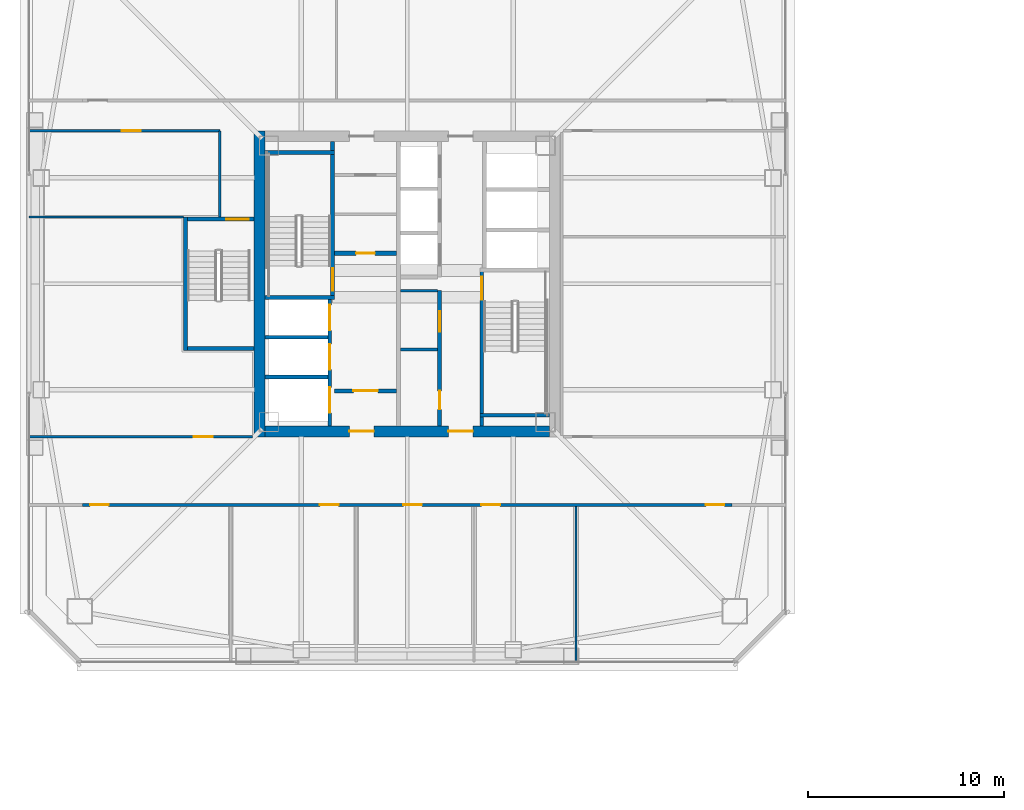
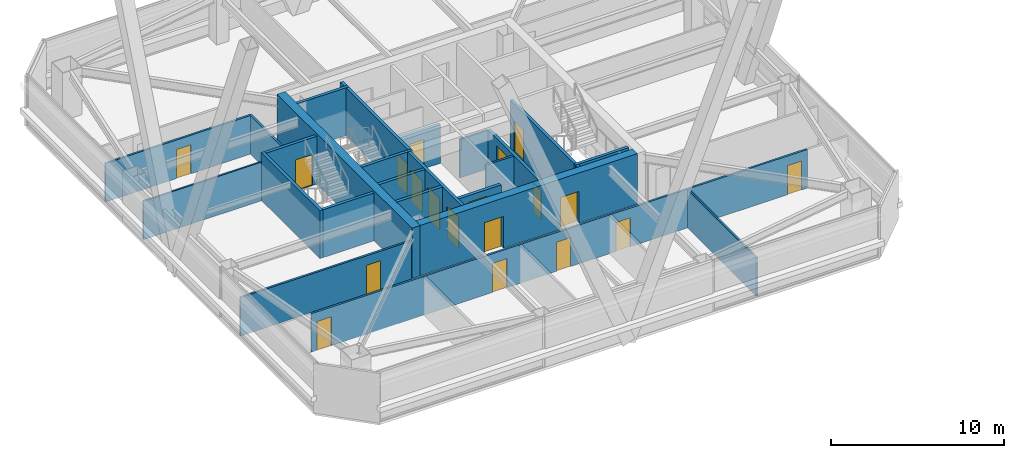
# One storey, part 40 of 50: 24 walls, 19 doors, 19 openings.
"""IFC4 building model written with IfcOpenShell, lengths in metres."""

from ifc_helpers import new_model, si_unit, direction, frame, frame_2d, origin, place, context, subcontext, project, spatial, rectangle, extrude, material, layer, layer_set, type_object, element, fill, save


model = new_model("IFC4")

# Units and contexts
model_context = context("Model", 3, precision=1e-05, world=origin(), true_north=direction((0.0, 1.0)))
body_context = subcontext(model_context, "Body", "Model", "MODEL_VIEW")
ifc_project = project(units=[si_unit("LENGTHUNIT", "METRE"), si_unit("AREAUNIT", "SQUARE_METRE"), si_unit("VOLUMEUNIT", "CUBIC_METRE"), si_unit("PLANEANGLEUNIT", "RADIAN"), si_unit("MASSUNIT", "GRAM", prefix="KILO")], contexts=[model_context])

# Site, building, storey
site_placement = place(None, origin())
site = spatial("IfcSite", under=ifc_project, at=site_placement, CompositionType="ELEMENT")
building_placement = place(site_placement, origin())
building = spatial("IfcBuilding", under=site, at=building_placement, Name="Tashvorn Skyway Center", CompositionType="ELEMENT")
storey_placement = place(building_placement, frame((0.0, 0.0, 114.39990234375)))
storey = spatial("IfcBuildingStorey", under=building, at=storey_placement, Name="L30", CompositionType="ELEMENT", Elevation=114.39990234375)

# Wall
ifc_material_1 = material(Name="Concrete C60/75", Category="concrete")
ifc_layer_1 = layer(ifc_material_1, 0.550048828125)
ifc_layer_set_1 = layer_set([ifc_layer_1], Name="Concrete C60/75")
wall_type_1 = type_object("IfcWallType", Name="WALL-CORE-550", PredefinedType="SHEAR", material=ifc_layer_set_1)
wall_1_placement = place(storey_placement, frame((34.47509765625, 24.199951171875, 0.0), z_axis=(0.0, 0.0, 1.0), x_axis=(0.0, 1.0, 0.0)))
element("IfcWall", 1, at=wall_1_placement, inside=storey, type_object=wall_type_1, Name="Tower 1 L30 West Core Shear Wall", PredefinedType="SHEAR", context=body_context, shape_type="SweptSolid", body=[
    extrude(rectangle(XDim=15.60009765625, YDim=0.550048828125, at=frame_2d((7.800048828125, 0.0))), origin(), (0.0, 0.0, 1.0), 3.550048828125),
])

# Wall, openings, doors
wall_2_placement = place(storey_placement, frame((49.25, 24.47509765625, 0.0), z_axis=(0.0, 0.0, 1.0), x_axis=(-1.0, 0.0, 0.0)))
wall_2 = element("IfcWall", 2, at=wall_2_placement, inside=storey, type_object=wall_type_1, Name="Tower 1 L30 South Core Shear Wall", PredefinedType="SHEAR", context=body_context, shape_type="SweptSolid", body=[
    extrude(rectangle(XDim=14.5, YDim=0.550048828125, at=frame_2d((7.25, 0.0))), origin(), (0.0, 0.0, 1.0), 3.550048828125),
])
opening_1_placement = place(wall_2_placement, frame((8.949951171875, 0.0, 0.0)))
opening_1 = element("IfcOpeningElement", 3, at=opening_1_placement, cuts=wall_2, Name="Opening D-FFL-1250", PredefinedType="OPENING", context=body_context, shape_type="SweptSolid", body=[
    extrude(rectangle(XDim=1.25, YDim=2.25, at=frame_2d((0.625, 1.125))), frame((0.0, 0.284912109375, 0.0), z_axis=(0.0, -1.0, 0.0), x_axis=(1.0, 0.0, 0.0)), (0.0, 0.0, 1.0), 0.570068359375),
])
opening_2_placement = place(wall_2_placement, frame((3.89990234375, 0.0, 0.0)))
opening_2 = element("IfcOpeningElement", 4, at=opening_2_placement, cuts=wall_2, Name="Opening D-FFL-1250", PredefinedType="OPENING", context=body_context, shape_type="SweptSolid", body=[
    extrude(rectangle(XDim=1.25, YDim=2.25, at=frame_2d((0.625, 1.125))), frame((0.0, 0.284912109375, 0.0), z_axis=(0.0, -1.0, 0.0), x_axis=(1.0, 0.0, 0.0)), (0.0, 0.0, 1.0), 0.570068359375),
])
ifc_material_2 = material(Name="Hollow galvanized steel fire door assembly", Category="steel")
door_type_1 = type_object("IfcDoorType", Name="DOOR-FFL-1250", OperationType="NOTDEFINED", PredefinedType="DOOR", material=ifc_material_2)
door_1_placement = place(opening_1_placement, origin())
door_1 = element("IfcDoor", 5, at=door_1_placement, inside=storey, type_object=door_type_1, Name="Tower 1 L30 Core South Firefighting Exit Door", OperationType="SINGLE_SWING_LEFT", OverallHeight=2.25, OverallWidth=1.25, PredefinedType="DOOR", context=body_context, shape_type="SweptSolid", body=[
    extrude(rectangle(XDim=1.25, YDim=2.25, at=frame_2d((0.625, 1.125))), frame((0.0, 0.02490234375, 0.0), z_axis=(0.0, -1.0, 0.0), x_axis=(1.0, 0.0, 0.0)), (0.0, 0.0, 1.0), 0.050048828125),
])
fill(opening_1, door_1)
door_2_placement = place(opening_2_placement, origin())
door_2 = element("IfcDoor", 6, at=door_2_placement, inside=storey, type_object=door_type_1, Name="Tower 1 L30 Core South Lift Lobby Door", OperationType="SINGLE_SWING_RIGHT", OverallHeight=2.25, OverallWidth=1.25, PredefinedType="DOOR", context=body_context, shape_type="SweptSolid", body=[
    extrude(rectangle(XDim=1.25, YDim=2.25, at=frame_2d((0.625, 1.125))), frame((0.0, 0.02490234375, 0.0), z_axis=(0.0, -1.0, 0.0), x_axis=(1.0, 0.0, 0.0)), (0.0, 0.0, 1.0), 0.050048828125),
])
fill(opening_2, door_2)

# Wall, opening, door
ifc_material_3 = material(Name="Concrete C40/50", Category="concrete")
ifc_layer_2 = layer(ifc_material_3, 0.219970703125)
ifc_layer_set_2 = layer_set([ifc_layer_2], Name="Concrete C40/50")
wall_type_2 = type_object("IfcWallType", Name="WALL-FFL-220", PredefinedType="SOLIDWALL", material=ifc_layer_set_2)
wall_3_placement = place(storey_placement, frame((38.300048828125, 33.56005859375, 0.0), z_axis=(0.0, 0.0, 1.0), x_axis=(1.0, 0.0, 0.0)))
wall_3 = element("IfcWall", 7, at=wall_3_placement, inside=storey, type_object=wall_type_2, Name="Tower 1 L30 Firefighting Lobby North Wall", PredefinedType="SOLIDWALL", context=body_context, shape_type="SweptSolid", body=[
    extrude(rectangle(XDim=3.14990234375, YDim=0.219970703125, at=frame_2d((1.574951171875, 0.0))), origin(), (0.0, 0.0, 1.0), 2.72314453125),
])
opening_3_placement = place(wall_3_placement, frame((1.10009765625, 0.0, 0.0)))
opening_3 = element("IfcOpeningElement", 8, at=opening_3_placement, cuts=wall_3, Name="Opening D-RT-950", PredefinedType="OPENING", context=body_context, shape_type="SweptSolid", body=[
    extrude(rectangle(XDim=0.949951171875, YDim=2.050048828125, at=frame_2d((0.47509765625, 1.02490234375))), frame((0.0, 0.119873046875, 0.0), z_axis=(0.0, -1.0, 0.0), x_axis=(1.0, 0.0, 0.0)), (0.0, 0.0, 1.0), 0.239990234375),
])
door_type_2 = type_object("IfcDoorType", Name="DOOR-RATED-950", OperationType="NOTDEFINED", PredefinedType="DOOR", material=ifc_material_2)
door_3_placement = place(opening_3_placement, origin())
door_3 = element("IfcDoor", 9, at=door_3_placement, inside=storey, type_object=door_type_2, Name="Tower 1 L30 Core Linen Store Door", OperationType="SINGLE_SWING_LEFT", OverallHeight=2.050048828125, OverallWidth=0.949951171875, PredefinedType="DOOR", context=body_context, shape_type="SweptSolid", body=[
    extrude(rectangle(XDim=0.949951171875, YDim=2.050048828125, at=frame_2d((0.47509765625, 1.02490234375))), frame((0.0, 0.02490234375, 0.0), z_axis=(0.0, -1.0, 0.0), x_axis=(1.0, 0.0, 0.0)), (0.0, 0.0, 1.0), 0.050048828125),
])
fill(opening_3, door_3)

wall_4_placement = place(storey_placement, frame((38.300048828125, 26.5400390625, 0.0), z_axis=(0.0, 0.0, 1.0), x_axis=(1.0, 0.0, 0.0)))
wall_4 = element("IfcWall", 10, at=wall_4_placement, inside=storey, type_object=wall_type_2, Name="Tower 1 L30 Firefighting Lobby South Wall", PredefinedType="SOLIDWALL", context=body_context, shape_type="SweptSolid", body=[
    extrude(rectangle(XDim=3.14990234375, YDim=0.219970703125, at=frame_2d((1.574951171875, 0.0))), origin(), (0.0, 0.0, 1.0), 2.72314453125),
])
opening_4_placement = place(wall_4_placement, frame((0.949951171875, 0.0, 0.0)))
opening_4 = element("IfcOpeningElement", 11, at=opening_4_placement, cuts=wall_4, Name="Opening D-FFL-1250", PredefinedType="OPENING", context=body_context, shape_type="SweptSolid", body=[
    extrude(rectangle(XDim=1.25, YDim=2.25, at=frame_2d((0.625, 1.125))), frame((0.0, 0.119873046875, 0.0), z_axis=(0.0, -1.0, 0.0), x_axis=(1.0, 0.0, 0.0)), (0.0, 0.0, 1.0), 0.239990234375),
])
door_4_placement = place(opening_4_placement, origin())
door_4 = element("IfcDoor", 12, at=door_4_placement, inside=storey, type_object=door_type_1, Name="Tower 1 L30 Firefighting Lobby Egress Door", OperationType="SINGLE_SWING_LEFT", OverallHeight=2.25, OverallWidth=1.25, PredefinedType="DOOR", context=body_context, shape_type="SweptSolid", body=[
    extrude(rectangle(XDim=1.25, YDim=2.25, at=frame_2d((0.625, 1.125))), frame((0.0, 0.02490234375, 0.0), z_axis=(0.0, -1.0, 0.0), x_axis=(1.0, 0.0, 0.0)), (0.0, 0.0, 1.0), 0.050048828125),
])
fill(opening_4, door_4)

# Walls
ifc_material_4 = material(Name="Gypsum board on cold-formed steel stud framing", Category="steel")
ifc_layer_3 = layer(ifc_material_4, 0.110107421875)
ifc_layer_set_3 = layer_set([ifc_layer_3], Name="Gypsum board on cold-formed steel stud framing")
wall_type_3 = type_object("IfcWallType", Name="WALL-PART-110", PredefinedType="PARTITIONING", material=ifc_layer_set_3)
wall_5_placement = place(storey_placement, frame((50.60009765625, 12.719970703125, 0.0), z_axis=(0.0, 0.0, 1.0), x_axis=(0.0, 1.0, 0.0)))
element("IfcWall", 13, at=wall_5_placement, inside=storey, type_object=wall_type_3, Name="Tower 1 L30 South Suite Partition 4", PredefinedType="PARTITIONING", context=body_context, shape_type="SweptSolid", body=[
    extrude(rectangle(XDim=7.929931640625, YDim=0.110107421875, at=frame_2d((3.96484375, 0.0))), origin(), (0.0, 0.0, 1.0), 2.72314453125),
])
wall_6_placement = place(storey_placement, frame((30.60009765625, 35.39990234375, 0.0), z_axis=(0.0, 0.0, 1.0), x_axis=(-1.0, 0.0, 0.0)))
element("IfcWall", 14, at=wall_6_placement, inside=storey, type_object=wall_type_3, Name="Tower 1 L30 West Suite Partition 1", PredefinedType="PARTITIONING", context=body_context, shape_type="SweptSolid", body=[
    extrude(rectangle(XDim=7.880126953125, YDim=0.110107421875, at=frame_2d((3.93994140625, 0.0))), origin(), (0.0, 0.0, 1.0), 2.72314453125),
])
ifc_layer_4 = layer(ifc_material_4, 0.135009765625)
ifc_layer_set_4 = layer_set([ifc_layer_4], Name="Gypsum board on cold-formed steel stud framing")
wall_type_4 = type_object("IfcWallType", Name="WALL-PART-135", PredefinedType="PARTITIONING", material=ifc_layer_set_4)
wall_7_placement = place(storey_placement, frame((32.449951171875, 35.39990234375, 0.0), z_axis=(0.0, 0.0, 1.0), x_axis=(0.0, 1.0, 0.0)))
element("IfcWall", 15, at=wall_7_placement, inside=storey, type_object=wall_type_4, Name="Tower 1 L30 Stair 3 Access Corridor Wall", PredefinedType="PARTITIONING", context=body_context, shape_type="SweptSolid", body=[
    extrude(rectangle(XDim=4.400146484375, YDim=0.135009765625, at=frame_2d((2.2001953125, 0.0))), origin(), (0.0, 0.0, 1.0), 2.72314453125),
])

# Wall, openings, doors
wall_8_placement = place(storey_placement, frame((58.550048828125, 20.72998046875, 0.0), z_axis=(0.0, 0.0, 1.0), x_axis=(-1.0, 0.0, 0.0)))
wall_8 = element("IfcWall", 16, at=wall_8_placement, inside=storey, type_object=wall_type_4, Name="Tower 1 L30 South Suite Wall", PredefinedType="PARTITIONING", context=body_context, shape_type="SweptSolid", body=[
    extrude(rectangle(XDim=33.10009765625, YDim=0.135009765625, at=frame_2d((16.550048828125, 0.0))), origin(), (0.0, 0.0, 1.0), 2.72314453125),
])
opening_5_placement = place(wall_8_placement, frame((31.77001953125, 0.0, 0.0)))
opening_5 = element("IfcOpeningElement", 17, at=opening_5_placement, cuts=wall_8, Name="Opening D-INT-950", PredefinedType="OPENING", context=body_context, shape_type="SweptSolid", body=[
    extrude(rectangle(XDim=0.949951171875, YDim=2.050048828125, at=frame_2d((0.47509765625, 1.02490234375))), frame((0.0, 0.077392578125, 0.0), z_axis=(0.0, -1.0, 0.0), x_axis=(1.0, 0.0, 0.0)), (0.0, 0.0, 1.0), 0.155029296875),
])
opening_6_placement = place(wall_8_placement, frame((20.051025390625, 0.0, 0.0)))
opening_6 = element("IfcOpeningElement", 18, at=opening_6_placement, cuts=wall_8, Name="Opening D-INT-950", PredefinedType="OPENING", context=body_context, shape_type="SweptSolid", body=[
    extrude(rectangle(XDim=0.949951171875, YDim=2.050048828125, at=frame_2d((0.47509765625, 1.02490234375))), frame((0.0, 0.077392578125, 0.0), z_axis=(0.0, -1.0, 0.0), x_axis=(1.0, 0.0, 0.0)), (0.0, 0.0, 1.0), 0.155029296875),
])
opening_7_placement = place(wall_8_placement, frame((15.80126953125, 0.0, 0.0)))
opening_7 = element("IfcOpeningElement", 19, at=opening_7_placement, cuts=wall_8, Name="Opening D-INT-950", PredefinedType="OPENING", context=body_context, shape_type="SweptSolid", body=[
    extrude(rectangle(XDim=0.949951171875, YDim=2.050048828125, at=frame_2d((0.47509765625, 1.02490234375))), frame((0.0, 0.077392578125, 0.0), z_axis=(0.0, -1.0, 0.0), x_axis=(1.0, 0.0, 0.0)), (0.0, 0.0, 1.0), 0.155029296875),
])
opening_8_placement = place(wall_8_placement, frame((11.820068359375, 0.0, 0.0)))
opening_8 = element("IfcOpeningElement", 20, at=opening_8_placement, cuts=wall_8, Name="Opening D-INT-950", PredefinedType="OPENING", context=body_context, shape_type="SweptSolid", body=[
    extrude(rectangle(XDim=0.949951171875, YDim=2.050048828125, at=frame_2d((0.47509765625, 1.02490234375))), frame((0.0, 0.077392578125, 0.0), z_axis=(0.0, -1.0, 0.0), x_axis=(1.0, 0.0, 0.0)), (0.0, 0.0, 1.0), 0.155029296875),
])
opening_9_placement = place(wall_8_placement, frame((0.3798828125, 0.0, 0.0)))
opening_9 = element("IfcOpeningElement", 21, at=opening_9_placement, cuts=wall_8, Name="Opening D-INT-950", PredefinedType="OPENING", context=body_context, shape_type="SweptSolid", body=[
    extrude(rectangle(XDim=0.949951171875, YDim=2.050048828125, at=frame_2d((0.47509765625, 1.02490234375))), frame((0.0, 0.077392578125, 0.0), z_axis=(0.0, -1.0, 0.0), x_axis=(1.0, 0.0, 0.0)), (0.0, 0.0, 1.0), 0.155029296875),
])
ifc_material_5 = material(Name="Solid-core architectural oak veneer door")
door_type_3 = type_object("IfcDoorType", Name="DOOR-INT-950", OperationType="NOTDEFINED", PredefinedType="DOOR", material=ifc_material_5)
door_5_placement = place(opening_5_placement, origin())
door_5 = element("IfcDoor", 22, at=door_5_placement, inside=storey, type_object=door_type_3, Name="Tower 1 L30 Executive Study Lounge Door", OperationType="SINGLE_SWING_LEFT", OverallHeight=2.050048828125, OverallWidth=0.949951171875, PredefinedType="DOOR", context=body_context, shape_type="SweptSolid", body=[
    extrude(rectangle(XDim=0.949951171875, YDim=2.050048828125, at=frame_2d((0.47509765625, 1.02490234375))), frame((0.0, 0.02490234375, 0.0), z_axis=(0.0, -1.0, 0.0), x_axis=(1.0, 0.0, 0.0)), (0.0, 0.0, 1.0), 0.050048828125),
])
fill(opening_5, door_5)
door_6_placement = place(opening_6_placement, origin())
door_6 = element("IfcDoor", 23, at=door_6_placement, inside=storey, type_object=door_type_3, Name="Tower 1 L30 Design Studio Door", OperationType="SINGLE_SWING_RIGHT", OverallHeight=2.050048828125, OverallWidth=0.949951171875, PredefinedType="DOOR", context=body_context, shape_type="SweptSolid", body=[
    extrude(rectangle(XDim=0.949951171875, YDim=2.050048828125, at=frame_2d((0.47509765625, 1.02490234375))), frame((0.0, 0.02490234375, 0.0), z_axis=(0.0, -1.0, 0.0), x_axis=(1.0, 0.0, 0.0)), (0.0, 0.0, 1.0), 0.050048828125),
])
fill(opening_6, door_6)
door_7_placement = place(opening_7_placement, origin())
door_7 = element("IfcDoor", 24, at=door_7_placement, inside=storey, type_object=door_type_3, Name="Tower 1 L30 Design Studio Door", OperationType="SINGLE_SWING_LEFT", OverallHeight=2.050048828125, OverallWidth=0.949951171875, PredefinedType="DOOR", context=body_context, shape_type="SweptSolid", body=[
    extrude(rectangle(XDim=0.949951171875, YDim=2.050048828125, at=frame_2d((0.47509765625, 1.02490234375))), frame((0.0, 0.02490234375, 0.0), z_axis=(0.0, -1.0, 0.0), x_axis=(1.0, 0.0, 0.0)), (0.0, 0.0, 1.0), 0.050048828125),
])
fill(opening_7, door_7)
door_8_placement = place(opening_8_placement, origin())
door_8 = element("IfcDoor", 25, at=door_8_placement, inside=storey, type_object=door_type_3, Name="Tower 1 L30 Reading Lounge Door", OperationType="SINGLE_SWING_RIGHT", OverallHeight=2.050048828125, OverallWidth=0.949951171875, PredefinedType="DOOR", context=body_context, shape_type="SweptSolid", body=[
    extrude(rectangle(XDim=0.949951171875, YDim=2.050048828125, at=frame_2d((0.47509765625, 1.02490234375))), frame((0.0, 0.02490234375, 0.0), z_axis=(0.0, -1.0, 0.0), x_axis=(1.0, 0.0, 0.0)), (0.0, 0.0, 1.0), 0.050048828125),
])
fill(opening_8, door_8)
door_9_placement = place(opening_9_placement, origin())
door_9 = element("IfcDoor", 26, at=door_9_placement, inside=storey, type_object=door_type_3, Name="Tower 1 L30 Open Plan Office Door", OperationType="SINGLE_SWING_LEFT", OverallHeight=2.050048828125, OverallWidth=0.949951171875, PredefinedType="DOOR", context=body_context, shape_type="SweptSolid", body=[
    extrude(rectangle(XDim=0.949951171875, YDim=2.050048828125, at=frame_2d((0.47509765625, 1.02490234375))), frame((0.0, 0.02490234375, 0.0), z_axis=(0.0, -1.0, 0.0), x_axis=(1.0, 0.0, 0.0)), (0.0, 0.0, 1.0), 0.050048828125),
])
fill(opening_9, door_9)

# Wall, opening, door
wall_9_placement = place(storey_placement, frame((32.449951171875, 39.800048828125, 0.0), z_axis=(0.0, 0.0, 1.0), x_axis=(-1.0, 0.0, 0.0)))
wall_9 = element("IfcWall", 27, at=wall_9_placement, inside=storey, type_object=wall_type_4, Name="Tower 1 L30 West Suite North Wall", PredefinedType="PARTITIONING", context=body_context, shape_type="SweptSolid", body=[
    extrude(rectangle(XDim=9.72998046875, YDim=0.135009765625, at=frame_2d((4.864990234375, 0.0))), origin(), (0.0, 0.0, 1.0), 2.72314453125),
])
opening_10_placement = place(wall_9_placement, frame((4.0400390625, 0.0, 0.0)))
opening_10 = element("IfcOpeningElement", 28, at=opening_10_placement, cuts=wall_9, Name="Opening D-INT-950", PredefinedType="OPENING", context=body_context, shape_type="SweptSolid", body=[
    extrude(rectangle(XDim=0.949951171875, YDim=2.050048828125, at=frame_2d((0.47509765625, 1.02490234375))), frame((0.0, 0.077392578125, 0.0), z_axis=(0.0, -1.0, 0.0), x_axis=(1.0, 0.0, 0.0)), (0.0, 0.0, 1.0), 0.155029296875),
])
door_10_placement = place(opening_10_placement, origin())
door_10 = element("IfcDoor", 29, at=door_10_placement, inside=storey, type_object=door_type_3, Name="Tower 1 L30 Reading Lounge Door", OperationType="SINGLE_SWING_RIGHT", OverallHeight=2.050048828125, OverallWidth=0.949951171875, PredefinedType="DOOR", context=body_context, shape_type="SweptSolid", body=[
    extrude(rectangle(XDim=0.949951171875, YDim=2.050048828125, at=frame_2d((0.47509765625, 1.02490234375))), frame((0.0, 0.02490234375, 0.0), z_axis=(0.0, -1.0, 0.0), x_axis=(1.0, 0.0, 0.0)), (0.0, 0.0, 1.0), 0.050048828125),
])
fill(opening_10, door_10)

wall_10_placement = place(storey_placement, frame((22.719970703125, 24.199951171875, 0.0), z_axis=(0.0, 0.0, 1.0), x_axis=(1.0, 0.0, 0.0)))
wall_10 = element("IfcWall", 30, at=wall_10_placement, inside=storey, type_object=wall_type_4, Name="Tower 1 L30 West Suite South Wall", PredefinedType="PARTITIONING", context=body_context, shape_type="SweptSolid", body=[
    extrude(rectangle(XDim=11.400146484375, YDim=0.135009765625, at=frame_2d((5.7001953125, 0.0))), origin(), (0.0, 0.0, 1.0), 2.72314453125),
])
opening_11_placement = place(wall_10_placement, frame((8.405029296875, 0.0, 0.0)))
opening_11 = element("IfcOpeningElement", 31, at=opening_11_placement, cuts=wall_10, Name="Opening D-INT-950", PredefinedType="OPENING", context=body_context, shape_type="SweptSolid", body=[
    extrude(rectangle(XDim=0.949951171875, YDim=2.050048828125, at=frame_2d((0.47509765625, 1.02490234375))), frame((0.0, 0.077392578125, 0.0), z_axis=(0.0, -1.0, 0.0), x_axis=(1.0, 0.0, 0.0)), (0.0, 0.0, 1.0), 0.155029296875),
])
door_11_placement = place(opening_11_placement, origin())
door_11 = element("IfcDoor", 32, at=door_11_placement, inside=storey, type_object=door_type_3, Name="Tower 1 L30 Public Restroom Door", OperationType="SINGLE_SWING_LEFT", OverallHeight=2.050048828125, OverallWidth=0.949951171875, PredefinedType="DOOR", context=body_context, shape_type="SweptSolid", body=[
    extrude(rectangle(XDim=0.949951171875, YDim=2.050048828125, at=frame_2d((0.47509765625, 1.02490234375))), frame((0.0, 0.02490234375, 0.0), z_axis=(0.0, -1.0, 0.0), x_axis=(1.0, 0.0, 0.0)), (0.0, 0.0, 1.0), 0.050048828125),
])
fill(opening_11, door_11)

# Walls
ifc_layer_5 = layer(ifc_material_4, 0.135009765625)
ifc_layer_set_5 = layer_set([ifc_layer_5], Name="Gypsum board on cold-formed steel stud framing")
wall_type_5 = type_object("IfcWallType", Name="WALL-RATED-135", PredefinedType="PARTITIONING", material=ifc_layer_set_5)
for number, where, z_axis, x_axis, name in (
    (33, (41.669921875, 31.64990234375, 0.0), (0.0, 0.0, 1.0), (1.0, 0.0, 0.0), "Tower 1 L30 Core Room Partition"),
    (34, (41.669921875, 28.64990234375, 0.0), (0.0, 0.0, 1.0), (1.0, 0.0, 0.0), "Tower 1 L30 Freed Core Partition"),
):
    element("IfcWall", number, at=place(storey_placement, frame(where, z_axis=z_axis, x_axis=x_axis)), inside=storey, type_object=wall_type_5, Name=name, PredefinedType="PARTITIONING", context=body_context, shape_type="SweptSolid", body=[
        extrude(rectangle(XDim=1.880126953125, YDim=0.135009765625, at=frame_2d((0.93994140625, 0.0))), origin(), (0.0, 0.0, 1.0), 2.72314453125),
    ])
ifc_layer_6 = layer(ifc_material_3, 0.199951171875)
ifc_layer_set_6 = layer_set([ifc_layer_6], Name="Concrete C40/50")
wall_type_6 = type_object("IfcWallType", Name="WALL-SHAFT-200", PredefinedType="SOLIDWALL", material=ifc_layer_set_6)
for number, where, z_axis, x_axis, name in (
    (35, (34.75, 27.25, 0.0), (0.0, 0.0, 1.0), (1.0, 0.0, 0.0), "Tower 1 L30 FSAE Shaft Divider"),
    (36, (34.75, 29.280029296875, 0.0), (0.0, 0.0, 1.0), (1.0, 0.0, 0.0), "Tower 1 L30 FSAE Shaft Divider"),
):
    element("IfcWall", number, at=place(storey_placement, frame(where, z_axis=z_axis, x_axis=x_axis)), inside=storey, type_object=wall_type_6, Name=name, PredefinedType="SOLIDWALL", context=body_context, shape_type="SweptSolid", body=[
        extrude(rectangle(XDim=3.199951171875, YDim=0.199951171875, at=frame_2d((1.60009765625, 0.0))), origin(), (0.0, 0.0, 1.0), 3.3701171875),
    ])

# Wall, openings, doors
wall_11_placement = place(storey_placement, frame((43.64990234375, 24.75, 0.0), z_axis=(0.0, 0.0, 1.0), x_axis=(0.0, 1.0, 0.0)))
wall_11 = element("IfcWall", 37, at=wall_11_placement, inside=storey, type_object=wall_type_6, Name="Tower 1 L30 Low-Rise Core Wall", PredefinedType="SOLIDWALL", context=body_context, shape_type="SweptSolid", body=[
    extrude(rectangle(XDim=6.89990234375, YDim=0.199951171875, at=frame_2d((3.449951171875, 0.0))), origin(), (0.0, 0.0, 1.0), 2.72314453125),
])
opening_12_placement = place(wall_11_placement, frame((0.85009765625, 0.0, 0.0)))
opening_12 = element("IfcOpeningElement", 38, at=opening_12_placement, cuts=wall_11, Name="Opening D-RT-950", PredefinedType="OPENING", context=body_context, shape_type="SweptSolid", body=[
    extrude(rectangle(XDim=0.949951171875, YDim=2.050048828125, at=frame_2d((0.47509765625, 1.02490234375))), frame((0.0, 0.10986328125, 0.0), z_axis=(0.0, -1.0, 0.0), x_axis=(1.0, 0.0, 0.0)), (0.0, 0.0, 1.0), 0.219970703125),
])
opening_13_placement = place(wall_11_placement, frame((4.800048828125, 0.0, 0.0)))
opening_13 = element("IfcOpeningElement", 39, at=opening_13_placement, cuts=wall_11, Name="Opening D-RT-1050", PredefinedType="OPENING", context=body_context, shape_type="SweptSolid", body=[
    extrude(rectangle(XDim=1.050048828125, YDim=2.199951171875, at=frame_2d((0.52490234375, 1.10009765625))), frame((0.0, 0.10986328125, 0.0), z_axis=(0.0, -1.0, 0.0), x_axis=(1.0, 0.0, 0.0)), (0.0, 0.0, 1.0), 0.219970703125),
])
door_type_4 = type_object("IfcDoorType", Name="DOOR-RATED-1050", OperationType="NOTDEFINED", PredefinedType="DOOR", material=ifc_material_2)
door_12_placement = place(opening_13_placement, origin())
door_12 = element("IfcDoor", 40, at=door_12_placement, inside=storey, type_object=door_type_4, Name="Tower 1 L30 Freed Core Room Door", OperationType="SINGLE_SWING_RIGHT", OverallHeight=2.199951171875, OverallWidth=1.050048828125, PredefinedType="DOOR", context=body_context, shape_type="SweptSolid", body=[
    extrude(rectangle(XDim=1.050048828125, YDim=2.199951171875, at=frame_2d((0.52490234375, 1.10009765625))), frame((0.0, 0.02490234375, 0.0), z_axis=(0.0, -1.0, 0.0), x_axis=(1.0, 0.0, 0.0)), (0.0, 0.0, 1.0), 0.050048828125),
])
fill(opening_13, door_12)
door_13_placement = place(opening_12_placement, origin())
door_13 = element("IfcDoor", 41, at=door_13_placement, inside=storey, type_object=door_type_2, Name="Tower 1 L30 Core Print Room Door", OperationType="SINGLE_SWING_LEFT", OverallHeight=2.050048828125, OverallWidth=0.949951171875, PredefinedType="DOOR", context=body_context, shape_type="SweptSolid", body=[
    extrude(rectangle(XDim=0.949951171875, YDim=2.050048828125, at=frame_2d((0.47509765625, 1.02490234375))), frame((0.0, 0.02490234375, 0.0), z_axis=(0.0, -1.0, 0.0), x_axis=(1.0, 0.0, 0.0)), (0.0, 0.0, 1.0), 0.050048828125),
])
fill(opening_12, door_13)

# Wall, opening, door
ifc_layer_7 = layer(ifc_material_3, 0.199951171875)
ifc_layer_set_7 = layer_set([ifc_layer_7], Name="Concrete C40/50")
wall_type_7 = type_object("IfcWallType", Name="WALL-STSHF-200", PredefinedType="SHEAR", material=ifc_layer_set_7)
wall_12_placement = place(storey_placement, frame((38.199951171875, 31.199951171875, 0.0), z_axis=(0.0, 0.0, 1.0), x_axis=(0.0, 1.0, 0.0)))
wall_12 = element("IfcWall", 42, at=wall_12_placement, inside=storey, type_object=wall_type_7, Name="Tower 1 L30 Stair 1 Enclosure Wall", PredefinedType="SHEAR", context=body_context, shape_type="SweptSolid", body=[
    extrude(rectangle(XDim=8.050048828125, YDim=0.199951171875, at=frame_2d((4.02490234375, 0.0))), origin(), (0.0, 0.0, 1.0), 3.3701171875),
])
opening_14_placement = place(wall_12_placement, frame((0.449951171875, 0.0, 0.0)))
opening_14 = element("IfcOpeningElement", 43, at=opening_14_placement, cuts=wall_12, Name="Opening D-ST-1150", PredefinedType="OPENING", context=body_context, shape_type="SweptSolid", body=[
    extrude(rectangle(XDim=1.14990234375, YDim=2.199951171875, at=frame_2d((0.574951171875, 1.10009765625))), frame((0.0, 0.10986328125, 0.0), z_axis=(0.0, -1.0, 0.0), x_axis=(1.0, 0.0, 0.0)), (0.0, 0.0, 1.0), 0.219970703125),
])
door_type_5 = type_object("IfcDoorType", Name="DOOR-STAIR-1150", OperationType="NOTDEFINED", PredefinedType="DOOR", material=ifc_material_2)
door_14_placement = place(opening_14_placement, origin())
door_14 = element("IfcDoor", 44, at=door_14_placement, inside=storey, type_object=door_type_5, Name="Tower 1 L30 Exit Stair 1 Door", OperationType="SINGLE_SWING_RIGHT", OverallHeight=2.199951171875, OverallWidth=1.14990234375, PredefinedType="DOOR", context=body_context, shape_type="SweptSolid", body=[
    extrude(rectangle(XDim=1.14990234375, YDim=2.199951171875, at=frame_2d((0.574951171875, 1.10009765625))), frame((0.0, 0.02490234375, 0.0), z_axis=(0.0, -1.0, 0.0), x_axis=(1.0, 0.0, 0.0)), (0.0, 0.0, 1.0), 0.050048828125),
])
fill(opening_14, door_14)

# Walls
for number, where, z_axis, x_axis, name in (
    (45, (34.75, 31.300048828125, 0.0), (0.0, 0.0, 1.0), (1.0, 0.0, 0.0), "Tower 1 L30 Stair 1 South Wall"),
    (46, (34.75, 38.699951171875, 0.0), (0.0, 0.0, 1.0), (1.0, 0.0, 0.0), "Tower 1 L30 Stair 1 North Wall"),
):
    element("IfcWall", number, at=place(storey_placement, frame(where, z_axis=z_axis, x_axis=x_axis)), inside=storey, type_object=wall_type_7, Name=name, PredefinedType="SHEAR", context=body_context, shape_type="SweptSolid", body=[
        extrude(rectangle(XDim=3.550048828125, YDim=0.199951171875, at=frame_2d((1.77490234375, 0.0))), origin(), (0.0, 0.0, 1.0), 3.3701171875),
    ])

# Wall, opening, door
wall_13_placement = place(storey_placement, frame((45.800048828125, 32.800048828125, 0.0), z_axis=(0.0, 0.0, 1.0), x_axis=(0.0, -1.0, 0.0)))
wall_13 = element("IfcWall", 47, at=wall_13_placement, inside=storey, type_object=wall_type_7, Name="Tower 1 L30 Stair 2 Enclosure Wall", PredefinedType="SHEAR", context=body_context, shape_type="SweptSolid", body=[
    extrude(rectangle(XDim=8.050048828125, YDim=0.199951171875, at=frame_2d((4.02490234375, 0.0))), origin(), (0.0, 0.0, 1.0), 3.3701171875),
])
opening_15_placement = place(wall_13_placement, frame((0.449951171875, 0.0, 0.0)))
opening_15 = element("IfcOpeningElement", 48, at=opening_15_placement, cuts=wall_13, Name="Opening D-ST-1150", PredefinedType="OPENING", context=body_context, shape_type="SweptSolid", body=[
    extrude(rectangle(XDim=1.14990234375, YDim=2.199951171875, at=frame_2d((0.574951171875, 1.10009765625))), frame((0.0, 0.10986328125, 0.0), z_axis=(0.0, -1.0, 0.0), x_axis=(1.0, 0.0, 0.0)), (0.0, 0.0, 1.0), 0.219970703125),
])
door_15_placement = place(opening_15_placement, origin())
door_15 = element("IfcDoor", 49, at=door_15_placement, inside=storey, type_object=door_type_5, Name="Tower 1 L30 Exit Stair 2 Door", OperationType="SINGLE_SWING_RIGHT", OverallHeight=2.199951171875, OverallWidth=1.14990234375, PredefinedType="DOOR", context=body_context, shape_type="SweptSolid", body=[
    extrude(rectangle(XDim=1.14990234375, YDim=2.199951171875, at=frame_2d((0.574951171875, 1.10009765625))), frame((0.0, 0.02490234375, 0.0), z_axis=(0.0, -1.0, 0.0), x_axis=(1.0, 0.0, 0.0)), (0.0, 0.0, 1.0), 0.050048828125),
])
fill(opening_15, door_15)

# Wall
wall_14_placement = place(storey_placement, frame((45.699951171875, 25.300048828125, 0.0), z_axis=(0.0, 0.0, 1.0), x_axis=(1.0, 0.0, 0.0)))
element("IfcWall", 50, at=wall_14_placement, inside=storey, type_object=wall_type_7, Name="Tower 1 L30 Stair 2 South Wall", PredefinedType="SHEAR", context=body_context, shape_type="SweptSolid", body=[
    extrude(rectangle(XDim=3.550048828125, YDim=0.199951171875, at=frame_2d((1.77490234375, 0.0))), origin(), (0.0, 0.0, 1.0), 3.3701171875),
])

# Wall, openings, doors
wall_15_placement = place(storey_placement, frame((38.050048828125, 24.75, 0.0), z_axis=(0.0, 0.0, 1.0), x_axis=(0.0, 1.0, 0.0)))
wall_15 = element("IfcWall", 51, at=wall_15_placement, inside=storey, type_object=wall_type_7, Name="Tower 1 L30 FSAE and Goods Shaft Front Wall", PredefinedType="SHEAR", context=body_context, shape_type="SweptSolid", body=[
    extrude(rectangle(XDim=6.449951171875, YDim=0.199951171875, at=frame_2d((3.22509765625, 0.0))), origin(), (0.0, 0.0, 1.0), 3.3701171875),
])
opening_16_placement = place(wall_15_placement, frame((4.875, 0.0, 0.0)))
opening_16 = element("IfcOpeningElement", 52, at=opening_16_placement, cuts=wall_15, Name="Opening LD-FF-T1-1-L30", PredefinedType="OPENING", context=body_context, shape_type="SweptSolid", body=[
    extrude(rectangle(XDim=1.300048828125, YDim=2.25, at=frame_2d((0.64990234375, 1.125))), frame((0.0, 0.10986328125, 0.0), z_axis=(0.0, -1.0, 0.0), x_axis=(1.0, 0.0, 0.0)), (0.0, 0.0, 1.0), 0.219970703125),
])
opening_17_placement = place(wall_15_placement, frame((2.875, 0.0, 0.0)))
opening_17 = element("IfcOpeningElement", 53, at=opening_17_placement, cuts=wall_15, Name="Opening LD-FF-T1-2-L30", PredefinedType="OPENING", context=body_context, shape_type="SweptSolid", body=[
    extrude(rectangle(XDim=1.300048828125, YDim=2.25, at=frame_2d((0.64990234375, 1.125))), frame((0.0, 0.10986328125, 0.0), z_axis=(0.0, -1.0, 0.0), x_axis=(1.0, 0.0, 0.0)), (0.0, 0.0, 1.0), 0.219970703125),
])
opening_18_placement = place(wall_15_placement, frame((0.675048828125, 0.0, 0.0)))
opening_18 = element("IfcOpeningElement", 54, at=opening_18_placement, cuts=wall_15, Name="Opening LD-GD-T1-1-L30", PredefinedType="OPENING", context=body_context, shape_type="SweptSolid", body=[
    extrude(rectangle(XDim=1.300048828125, YDim=2.25, at=frame_2d((0.64990234375, 1.125))), frame((0.0, 0.10986328125, 0.0), z_axis=(0.0, -1.0, 0.0), x_axis=(1.0, 0.0, 0.0)), (0.0, 0.0, 1.0), 0.219970703125),
])
ifc_material_6 = material(Name="Stainless steel heavy-duty landing door", Category="steel")
door_type_6 = type_object("IfcDoorType", Name="DOOR-LIFT-1300", OperationType="SLIDING_TO_LEFT", PredefinedType="DOOR", material=ifc_material_6)
door_16_placement = place(opening_16_placement, origin())
door_16 = element("IfcDoor", 55, at=door_16_placement, inside=storey, type_object=door_type_6, Name="Lift FF-T1-1 L30 Landing Door", OperationType="SLIDING_TO_LEFT", OverallHeight=2.25, OverallWidth=1.300048828125, PredefinedType="DOOR", context=body_context, shape_type="SweptSolid", body=[
    extrude(rectangle(XDim=1.300048828125, YDim=2.25, at=frame_2d((0.64990234375, 1.125))), frame((0.0, 0.02490234375, 0.0), z_axis=(0.0, -1.0, 0.0), x_axis=(1.0, 0.0, 0.0)), (0.0, 0.0, 1.0), 0.050048828125),
])
fill(opening_16, door_16)
door_17_placement = place(opening_17_placement, origin())
door_17 = element("IfcDoor", 56, at=door_17_placement, inside=storey, type_object=door_type_6, Name="Lift FF-T1-2 L30 Landing Door", OperationType="SLIDING_TO_LEFT", OverallHeight=2.25, OverallWidth=1.300048828125, PredefinedType="DOOR", context=body_context, shape_type="SweptSolid", body=[
    extrude(rectangle(XDim=1.300048828125, YDim=2.25, at=frame_2d((0.64990234375, 1.125))), frame((0.0, 0.02490234375, 0.0), z_axis=(0.0, -1.0, 0.0), x_axis=(1.0, 0.0, 0.0)), (0.0, 0.0, 1.0), 0.050048828125),
])
fill(opening_17, door_17)
door_18_placement = place(opening_18_placement, origin())
door_18 = element("IfcDoor", 57, at=door_18_placement, inside=storey, type_object=door_type_6, Name="Lift GD-T1-1 L30 Landing Door", OperationType="SLIDING_TO_LEFT", OverallHeight=2.25, OverallWidth=1.300048828125, PredefinedType="DOOR", context=body_context, shape_type="SweptSolid", body=[
    extrude(rectangle(XDim=1.300048828125, YDim=2.25, at=frame_2d((0.64990234375, 1.125))), frame((0.0, 0.02490234375, 0.0), z_axis=(0.0, -1.0, 0.0), x_axis=(1.0, 0.0, 0.0)), (0.0, 0.0, 1.0), 0.050048828125),
])
fill(opening_18, door_18)

# Wall
wall_16_placement = place(storey_placement, frame((30.699951171875, 28.60009765625, 0.0), z_axis=(0.0, 0.0, 1.0), x_axis=(0.0, 1.0, 0.0)))
element("IfcWall", 58, at=wall_16_placement, inside=storey, type_object=wall_type_7, Name="Tower 1 L30 Stair 3 Outer Wall", PredefinedType="SHEAR", context=body_context, shape_type="SweptSolid", body=[
    extrude(rectangle(XDim=6.7998046875, YDim=0.199951171875, at=frame_2d((3.39990234375, 0.0))), origin(), (0.0, 0.0, 1.0), 3.3701171875),
])

# Wall, opening, door
wall_17_placement = place(storey_placement, frame((34.199951171875, 35.300048828125, 0.0), z_axis=(0.0, 0.0, 1.0), x_axis=(-1.0, 0.0, 0.0)))
wall_17 = element("IfcWall", 59, at=wall_17_placement, inside=storey, type_object=wall_type_7, Name="Tower 1 L30 Stair 3 Enclosure Wall", PredefinedType="SHEAR", context=body_context, shape_type="SweptSolid", body=[
    extrude(rectangle(XDim=3.39990234375, YDim=0.199951171875, at=frame_2d((1.699951171875, 0.0))), origin(), (0.0, 0.0, 1.0), 3.3701171875),
])
opening_19_placement = place(wall_17_placement, frame((0.27490234375, 0.0, 0.0)))
opening_19 = element("IfcOpeningElement", 60, at=opening_19_placement, cuts=wall_17, Name="Opening D-ST-1150", PredefinedType="OPENING", context=body_context, shape_type="SweptSolid", body=[
    extrude(rectangle(XDim=1.14990234375, YDim=2.199951171875, at=frame_2d((0.574951171875, 1.10009765625))), frame((0.0, 0.10986328125, 0.0), z_axis=(0.0, -1.0, 0.0), x_axis=(1.0, 0.0, 0.0)), (0.0, 0.0, 1.0), 0.219970703125),
])
door_19_placement = place(opening_19_placement, origin())
door_19 = element("IfcDoor", 61, at=door_19_placement, inside=storey, type_object=door_type_5, Name="Tower 1 L30 Exit Stair 3 Door", OperationType="SINGLE_SWING_RIGHT", OverallHeight=2.199951171875, OverallWidth=1.14990234375, PredefinedType="DOOR", context=body_context, shape_type="SweptSolid", body=[
    extrude(rectangle(XDim=1.14990234375, YDim=2.199951171875, at=frame_2d((0.574951171875, 1.10009765625))), frame((0.0, 0.02490234375, 0.0), z_axis=(0.0, -1.0, 0.0), x_axis=(1.0, 0.0, 0.0)), (0.0, 0.0, 1.0), 0.050048828125),
])
fill(opening_19, door_19)

# Wall
wall_18_placement = place(storey_placement, frame((30.800048828125, 28.699951171875, 0.0), z_axis=(0.0, 0.0, 1.0), x_axis=(1.0, 0.0, 0.0)))
element("IfcWall", 62, at=wall_18_placement, inside=storey, type_object=wall_type_7, Name="Tower 1 L30 Stair 3 South Wall", PredefinedType="SHEAR", context=body_context, shape_type="SweptSolid", body=[
    extrude(rectangle(XDim=3.39990234375, YDim=0.199951171875, at=frame_2d((1.699951171875, 0.0))), origin(), (0.0, 0.0, 1.0), 3.3701171875),
])

save(model, "model.ifc")
